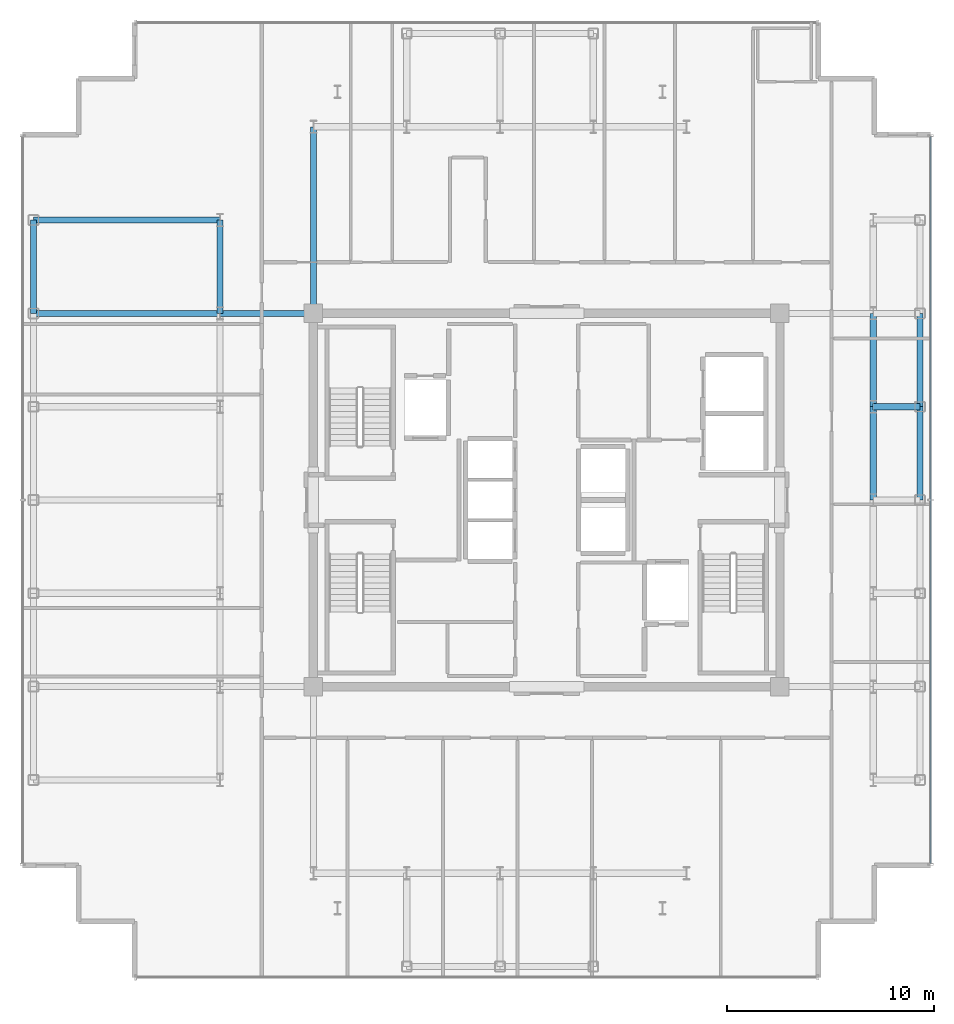
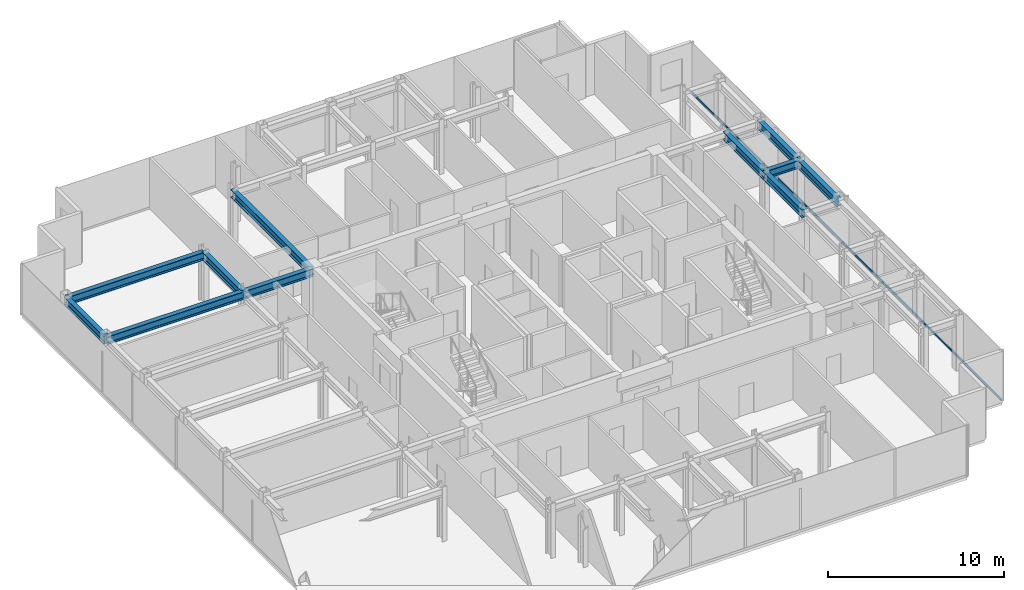
# One storey, part 8 of 17: 11 beams, 1 member, 1 element without a shape of its own.
"""IFC4 building model written with IfcOpenShell, lengths in metres."""

from ifc_helpers import new_model, si_unit, direction, frame, origin, origin_2d, place, context, subcontext, project, spatial, hollow_rectangle, i_section, extrude, source, transform, mapped, material, layer, layer_set, material_profile, profile_set, type_object, element, aggregate, save


model = new_model("IFC4")

# Units and contexts
model_context = context("Model", 3, precision=1e-05, world=origin(), true_north=direction((0.0, 1.0)))
body_context = subcontext(model_context, "Body", "Model", "MODEL_VIEW")
ifc_project = project(units=[si_unit("LENGTHUNIT", "METRE"), si_unit("AREAUNIT", "SQUARE_METRE"), si_unit("VOLUMEUNIT", "CUBIC_METRE"), si_unit("PLANEANGLEUNIT", "RADIAN"), si_unit("MASSUNIT", "GRAM", prefix="KILO")], contexts=[model_context])

# Site, building, storey
site_placement = place(None, origin())
site = spatial("IfcSite", under=ifc_project, at=site_placement, CompositionType="ELEMENT")
building_placement = place(site_placement, origin())
building = spatial("IfcBuilding", under=site, at=building_placement, Name="Nefas-Gora Pilgrimage Tower", CompositionType="ELEMENT")
storey_placement = place(building_placement, frame((0.0, 0.0, 341.39990234375)))
storey = spatial("IfcBuildingStorey", under=building, at=storey_placement, Name="L86", CompositionType="ELEMENT", Elevation=341.39990234375)

# Beams
ifc_material_1 = material(Name="Steel S355", Category="steel")
ifc_material_profile_1 = material_profile(ifc_material_1, i_section(OverallWidth=0.300048828125, OverallDepth=0.550048828125, WebThickness=0.014892578125, FlangeThickness=0.029052734375, FilletRadius=0.027099609375, at=origin_2d()), Name="HEB 550")
ifc_profile_set_1 = profile_set([ifc_material_profile_1], Name="Steel S355")
beam_type_1 = type_object("IfcBeamType", Name="BM-SPN-HEB400", PredefinedType="SPANDREL", material=ifc_profile_set_1)
shared_shape_1 = source(origin(), body_context, "Body", "SweptSolid", [
    extrude(i_section(OverallWidth=0.300048828125, OverallDepth=0.550048828125, WebThickness=0.014892578125, FlangeThickness=0.029052734375, FilletRadius=0.027099609375, at=origin_2d()), origin(), (0.0, 0.0, 1.0), 4.5),
])
for number, where, z_axis, x_axis, name in (
    (1, (-24.75, 9.0, 3.275146484375), (0.0, 1.0, 0.0), (-1.0, 0.0, 0.0), "L86 SP-04 beam"),
    (2, (18.0, 0.0, 3.275146484375), (0.0, 1.0, 0.0), (-1.0, 0.0, 0.0), "L86 SP-04 beam"),
    (3, (18.0, 4.5, 3.275146484375), (0.0, 1.0, 0.0), (-1.0, 0.0, 0.0), "L86 SP-04 beam"),
):
    element("IfcBeam", number, at=place(storey_placement, frame(where, z_axis=z_axis, x_axis=x_axis)), inside=storey, type_object=beam_type_1, Name=name, PredefinedType="SPANDREL", context=body_context, shape_type="MappedRepresentation", body=[
        mapped(shared_shape_1, transform((0.0, 0.0, 0.0), x_axis=(1.0, 0.0, 0.0), y_axis=(0.0, 1.0, 0.0), z_axis=(0.0, 0.0, 1.0), scale=1.0)),
    ])
ifc_material_profile_2 = material_profile(ifc_material_1, i_section(OverallWidth=0.300048828125, OverallDepth=0.550048828125, WebThickness=0.014892578125, FlangeThickness=0.029052734375, FilletRadius=0.027099609375, at=origin_2d()), Name="HEB 550")
ifc_profile_set_2 = profile_set([ifc_material_profile_2], Name="Steel S355")
beam_type_2 = type_object("IfcBeamType", Name="BM-GIR-HEB550", PredefinedType="BEAM", material=ifc_profile_set_2)
shared_shape_2 = source(origin(), body_context, "Body", "SweptSolid", [
    extrude(i_section(OverallWidth=0.300048828125, OverallDepth=0.550048828125, WebThickness=0.014892578125, FlangeThickness=0.029052734375, FilletRadius=0.027099609375, at=origin_2d()), origin(), (0.0, 0.0, 1.0), 9.0),
])
for number, where, z_axis, x_axis, name in (
    (4, (-24.75, 9.0, 3.275146484375), (1.0, 0.0, 0.0), (0.0, 1.0, 0.0), "L86 G-05 beam"),
    (5, (-24.75, 13.5, 3.275146484375), (1.0, 0.0, 0.0), (0.0, 1.0, 0.0), "L86 G-05 beam"),
    (6, (-11.25, 9.0, 3.275146484375), (0.0, 1.0, 0.0), (-1.0, 0.0, 0.0), "L86 G-05 beam"),
):
    element("IfcBeam", number, at=place(storey_placement, frame(where, z_axis=z_axis, x_axis=x_axis)), inside=storey, type_object=beam_type_2, Name=name, PredefinedType="BEAM", context=body_context, shape_type="MappedRepresentation", body=[
        mapped(shared_shape_2, transform((0.0, 0.0, 0.0), x_axis=(1.0, 0.0, 0.0), y_axis=(0.0, 1.0, 0.0), z_axis=(0.0, 0.0, 1.0), scale=1.0)),
    ])
shared_shape_3 = source(origin(), body_context, "Body", "SweptSolid", [
    extrude(i_section(OverallWidth=0.300048828125, OverallDepth=0.550048828125, WebThickness=0.014892578125, FlangeThickness=0.029052734375, FilletRadius=0.027099609375, at=origin_2d()), origin(), (0.0, 0.0, 1.0), 4.5),
])
for number, where, z_axis, x_axis, name in (
    (7, (-15.75, 9.0, 3.275146484375), (0.0, 1.0, 0.0), (-1.0, 0.0, 0.0), "L86 G-05 beam"),
    (8, (-15.75, 9.0, 3.275146484375), (1.0, 0.0, 0.0), (0.0, 1.0, 0.0), "L86 G-05 beam"),
    (9, (15.75, 0.0, 3.275146484375), (0.0, 1.0, 0.0), (-1.0, 0.0, 0.0), "L86 G-05 beam"),
    (10, (15.75, 4.5, 3.275146484375), (0.0, 1.0, 0.0), (-1.0, 0.0, 0.0), "L86 G-05 beam"),
):
    element("IfcBeam", number, at=place(storey_placement, frame(where, z_axis=z_axis, x_axis=x_axis)), inside=storey, type_object=beam_type_2, Name=name, PredefinedType="BEAM", context=body_context, shape_type="MappedRepresentation", body=[
        mapped(shared_shape_3, transform((0.0, 0.0, 0.0), x_axis=(1.0, 0.0, 0.0), y_axis=(0.0, 1.0, 0.0), z_axis=(0.0, 0.0, 1.0), scale=1.0)),
    ])
shared_shape_4 = source(origin(), body_context, "Body", "SweptSolid", [
    extrude(i_section(OverallWidth=0.300048828125, OverallDepth=0.550048828125, WebThickness=0.014892578125, FlangeThickness=0.029052734375, FilletRadius=0.027099609375, at=origin_2d()), origin(), (0.0, 0.0, 1.0), 2.25),
])
beam_placement = place(storey_placement, frame((15.75, 4.5, 3.275146484375), z_axis=(1.0, 0.0, 0.0), x_axis=(0.0, 1.0, 0.0)))
element("IfcBeam", 11, at=beam_placement, inside=storey, type_object=beam_type_2, Name="L86 G-05 beam", PredefinedType="BEAM", context=body_context, shape_type="MappedRepresentation", body=[
    mapped(shared_shape_4, transform((0.0, 0.0, 0.0), x_axis=(1.0, 0.0, 0.0), y_axis=(0.0, 1.0, 0.0), z_axis=(0.0, 0.0, 1.0), scale=1.0)),
])

# Curtain wall, member
ifc_material_2 = material(Name="Dark ceramic-fritted solar-control aluminium-glass curtain wall", Category="aluminium")
ifc_layer = layer(ifc_material_2, 0.219970703125)
ifc_layer_set = layer_set([ifc_layer], Name="Dark ceramic-fritted solar-control aluminium-glass curtain wall")
curtain_wall_type = type_object("IfcCurtainWallType", Name="CW-SYS-4", PredefinedType="NOTDEFINED", material=ifc_layer_set)
curtain_wall_placement = place(storey_placement, origin())
curtain_wall = element("IfcCurtainWall", 12, at=curtain_wall_placement, inside=storey, type_object=curtain_wall_type, Name="L86 Unitised Curtain Wall CW4", PredefinedType="NOTDEFINED")
ifc_material_3 = material(Name="Anodised architectural aluminium", Category="aluminium")
ifc_material_profile_3 = material_profile(ifc_material_3, hollow_rectangle(XDim=0.080078125, YDim=0.159912109375, WallThickness=0.00439453125, InnerFilletRadius=0.00439453125, OuterFilletRadius=0.009033203125, at=origin_2d()), Name="ALU TRANSOM 80x160")
ifc_profile_set_3 = profile_set([ifc_material_profile_3], Name="Anodised architectural aluminium")
member_type = type_object("IfcMemberType", Name="CWM-TRN-4", PredefinedType="USERDEFINED", material=ifc_profile_set_3)
shared_shape_5 = source(origin(), body_context, "Body", "SweptSolid", [
    extrude(hollow_rectangle(XDim=0.080078125, YDim=0.159912109375, WallThickness=0.00439453125, InnerFilletRadius=0.00439453125, OuterFilletRadius=0.009033203125, at=origin_2d()), origin(), (0.0, 0.0, 1.0), 35.06005859375),
])
member_placement = place(storey_placement, frame((18.52001953125, -17.530029296875, 0.050048828125), z_axis=(0.0, 1.0, 0.0), x_axis=(-1.0, 0.0, 0.0)))
member = element("IfcMember", 13, at=member_placement, type_object=member_type, Name="CW4 Spandrel Transom", ObjectType="TRANSOM", PredefinedType="USERDEFINED", context=body_context, shape_type="MappedRepresentation", body=[
    mapped(shared_shape_5, transform((0.0, 0.0, 0.0), x_axis=(1.0, 0.0, 0.0), y_axis=(0.0, 1.0, 0.0), z_axis=(0.0, 0.0, 1.0), scale=1.0)),
])
aggregate(curtain_wall, [member])

save(model, "model.ifc")
